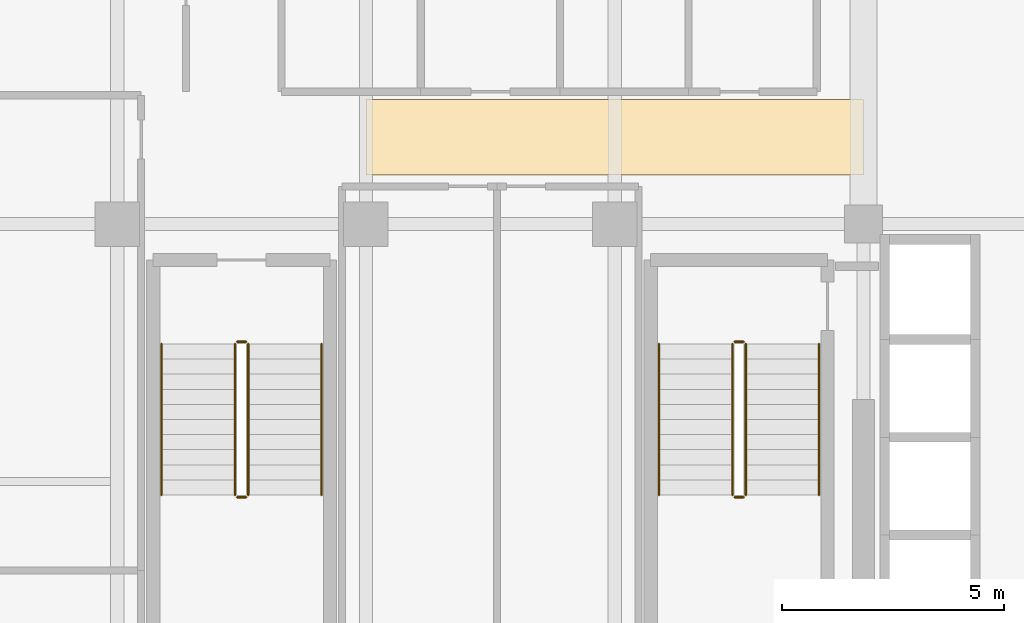
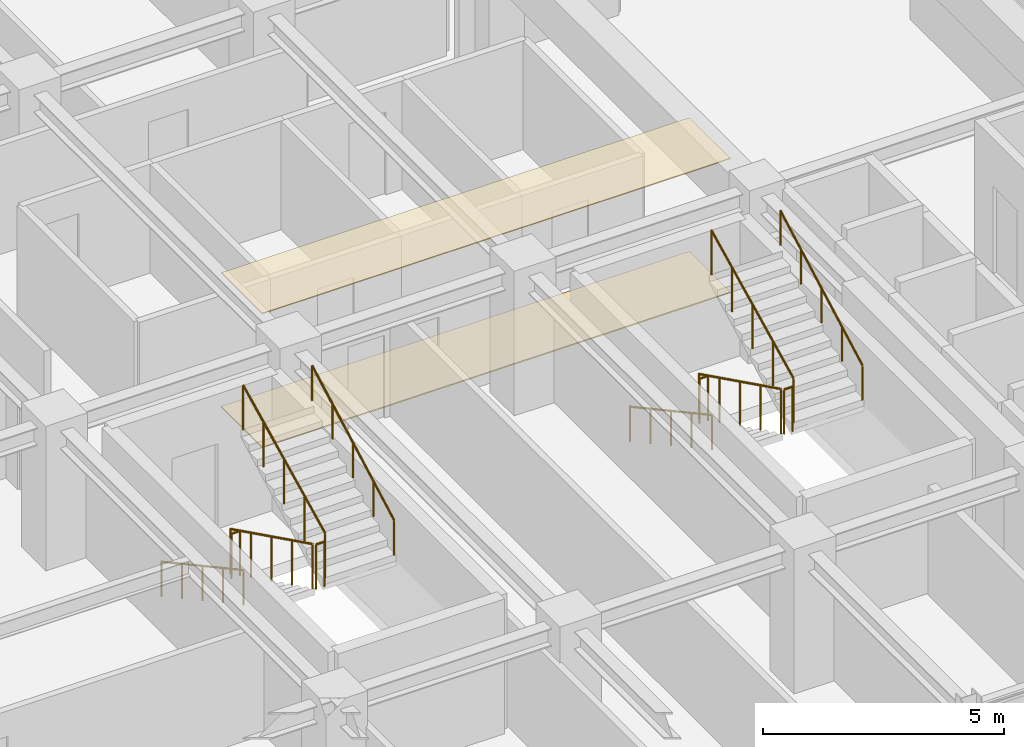
# One storey, part 38 of 41: 12 railings, 2 coverings.
"""IFC4 building model written with IfcOpenShell, lengths in metres."""

from ifc_helpers import new_model, si_unit, direction, frame, origin, origin_2d, place, context, subcontext, project, spatial, polyline, circle, outline, extrude, material, layer, layer_set, type_object, element, save


model = new_model("IFC4")

# Units and contexts
model_context = context("Model", 3, precision=1e-05, world=origin(), true_north=direction((0.0, 1.0)))
body_context = subcontext(model_context, "Body", "Model", "MODEL_VIEW")
ifc_project = project(units=[si_unit("LENGTHUNIT", "METRE"), si_unit("AREAUNIT", "SQUARE_METRE"), si_unit("VOLUMEUNIT", "CUBIC_METRE"), si_unit("PLANEANGLEUNIT", "RADIAN"), si_unit("MASSUNIT", "GRAM", prefix="KILO")], contexts=[model_context])

# Site, building, storey
site_placement = place(None, origin())
site = spatial("IfcSite", under=ifc_project, at=site_placement, CompositionType="ELEMENT")
building_placement = place(site_placement, origin())
building = spatial("IfcBuilding", under=site, at=building_placement, Name="Nahalor Promenade Grand Hotel", CompositionType="ELEMENT")
storey_placement = place(building_placement, frame((0.0, 0.0, 227.10009765625)))
storey = spatial("IfcBuildingStorey", under=building, at=storey_placement, Name="L58", CompositionType="ELEMENT", Elevation=227.10009765625)

# Coverings
ifc_material_1 = material(Name="Acoustic Mineral Gypsum", Category="gypsum")
ifc_layer_1 = layer(ifc_material_1, 0.02490234375)
ifc_layer_set_1 = layer_set([ifc_layer_1], Name="Acoustic Mineral Gypsum")
covering_type_1 = type_object("IfcCoveringType", Name="Acoustic Suspended Ceiling Tile", PredefinedType="CEILING", material=ifc_layer_set_1)
covering_1_placement = place(storey_placement, frame((0.0, 0.0, 3.385009765625)))
element("IfcCovering", 1, at=covering_1_placement, inside=storey, type_object=covering_type_1, Name="CV-CEIL-L58", PredefinedType="CEILING", context=body_context, shape_type="SweptSolid", body=[
    extrude(outline(polyline([(-2.800048828125, -4.300048828125), (8.39990234375, -4.300048828125), (8.39990234375, -2.60009765625), (-2.800048828125, -2.60009765625), (-2.800048828125, -4.300048828125)])), origin(), (0.0, 0.0, 1.0), 0.02490234375),
])
ifc_material_2 = material(Name="Jerusalem Limestone Flooring", Category="masonry")
ifc_layer_2 = layer(ifc_material_2, 0.030029296875)
ifc_layer_set_2 = layer_set([ifc_layer_2], Name="Jerusalem Limestone Flooring")
covering_type_2 = type_object("IfcCoveringType", Name="Honed Limestone Floor Finish", PredefinedType="FLOORING", material=ifc_layer_set_2)
covering_2_placement = place(storey_placement, origin())
element("IfcCovering", 2, at=covering_2_placement, inside=storey, type_object=covering_type_2, Name="CV-FLOR-L58", PredefinedType="FLOORING", context=body_context, shape_type="SweptSolid", body=[
    extrude(outline(polyline([(-2.800048828125, -4.300048828125), (8.39990234375, -4.300048828125), (8.39990234375, -2.60009765625), (-2.800048828125, -2.60009765625), (-2.800048828125, -4.300048828125)])), origin(), (0.0, 0.0, 1.0), 0.02978515625),
])

# Railings
ifc_material_3 = material(Name="Steel S355JR", Category="steel")
railing_type_1 = type_object("IfcRailingType", Name="Steel Stair Guardrail 1150 mm", PredefinedType="GUARDRAIL", material=ifc_material_3)
railing_1_placement = place(storey_placement, frame((5.449951171875, -8.10009765625, 0.16796875)))
element("IfcRailing", 3, at=railing_1_placement, inside=storey, type_object=railing_type_1, Name="L58 ST2 stair guard 1", PredefinedType="GUARDRAIL", context=body_context, shape_type="SweptSolid", body=[
    extrude(circle(Radius=0.024048, at=origin_2d()), frame((0.0, 0.0, 1.1259765625), z_axis=(0.0, -0.896324230515, 0.443399226197), x_axis=(1.0, 0.0, 0.0)), (0.0, 0.0, 1.0), 3.793212890625),
    extrude(circle(Radius=0.020996, at=origin_2d()), origin(), (0.0, 0.0, 1.0), 1.099853515625),
    extrude(circle(Radius=0.020996, at=origin_2d()), frame((0.0, -0.85009765625, 0.42041015625)), (0.0, 0.0, 1.0), 1.099853515625),
    extrude(circle(Radius=0.020996, at=origin_2d()), frame((0.0, -1.699951171875, 0.8408203125)), (0.0, 0.0, 1.0), 1.099853515625),
    extrude(circle(Radius=0.020996, at=origin_2d()), frame((0.0, -2.5498046875, 1.261474609375)), (0.0, 0.0, 1.0), 1.099853515625),
    extrude(circle(Radius=0.020996, at=origin_2d()), frame((0.0, -3.39990234375, 1.681884765625)), (0.0, 0.0, 1.0), 1.099853515625),
])
railing_2_placement = place(storey_placement, frame((5.5, -11.550048828125, 1.849853515625)))
element("IfcRailing", 4, at=railing_2_placement, inside=storey, type_object=railing_type_1, Name="L58 ST2 stair guard 2", PredefinedType="GUARDRAIL", context=body_context, shape_type="SweptSolid", body=[
    extrude(circle(Radius=0.024048, at=origin_2d()), frame((0.0, 0.0, 1.1259765625), z_axis=(1.0, 0.0, 0.0), x_axis=(0.0, 1.0, 0.0)), (0.0, 0.0, 1.0), 0.199951171875),
    extrude(circle(Radius=0.020996, at=origin_2d()), origin(), (0.0, 0.0, 1.0), 1.099853515625),
    extrude(circle(Radius=0.020996, at=origin_2d()), frame((0.199951171875, 0.0, 0.0)), (0.0, 0.0, 1.0), 1.099853515625),
])
railing_3_placement = place(storey_placement, frame((5.75, -11.5, 2.01806640625)))
element("IfcRailing", 5, at=railing_3_placement, inside=storey, type_object=railing_type_1, Name="L58 ST2 stair guard 3", PredefinedType="GUARDRAIL", context=body_context, shape_type="SweptSolid", body=[
    extrude(circle(Radius=0.024048, at=origin_2d()), frame((0.0, 0.0, 1.1259765625), z_axis=(0.0, 0.896324230515, 0.443399226197), x_axis=(-1.0, 0.0, 0.0)), (0.0, 0.0, 1.0), 3.793212890625),
    extrude(circle(Radius=0.020996, at=origin_2d()), origin(), (0.0, 0.0, 1.0), 1.099853515625),
    extrude(circle(Radius=0.020996, at=origin_2d()), frame((0.0, 0.85009765625, 0.42041015625)), (0.0, 0.0, 1.0), 1.099853515625),
    extrude(circle(Radius=0.020996, at=origin_2d()), frame((0.0, 1.699951171875, 0.8408203125)), (0.0, 0.0, 1.0), 1.099853515625),
    extrude(circle(Radius=0.020996, at=origin_2d()), frame((0.0, 2.5498046875, 1.261474609375)), (0.0, 0.0, 1.0), 1.099853515625),
    extrude(circle(Radius=0.020996, at=origin_2d()), frame((0.0, 3.39990234375, 1.681884765625)), (0.0, 0.0, 1.0), 1.099853515625),
])
railing_4_placement = place(storey_placement, frame((5.5, -8.050048828125, 0.0)))
element("IfcRailing", 6, at=railing_4_placement, inside=storey, type_object=railing_type_1, Name="L58 ST2 stair guard 4", PredefinedType="GUARDRAIL", context=body_context, shape_type="SweptSolid", body=[
    extrude(circle(Radius=0.024048, at=origin_2d()), frame((0.0, 0.0, 1.1259765625), z_axis=(1.0, 0.0, 0.0), x_axis=(0.0, 1.0, 0.0)), (0.0, 0.0, 1.0), 0.199951171875),
    extrude(circle(Radius=0.020996, at=origin_2d()), origin(), (0.0, 0.0, 1.0), 1.099853515625),
    extrude(circle(Radius=0.020996, at=origin_2d()), frame((0.199951171875, 0.0, 0.0)), (0.0, 0.0, 1.0), 1.099853515625),
])
railing_5_placement = place(storey_placement, frame((-5.75, -8.10009765625, 0.16796875)))
element("IfcRailing", 7, at=railing_5_placement, inside=storey, type_object=railing_type_1, Name="L58 ST3 stair guard 1", PredefinedType="GUARDRAIL", context=body_context, shape_type="SweptSolid", body=[
    extrude(circle(Radius=0.024048, at=origin_2d()), frame((0.0, 0.0, 1.1259765625), z_axis=(0.0, -0.896324230515, 0.443399226197), x_axis=(1.0, 0.0, 0.0)), (0.0, 0.0, 1.0), 3.793212890625),
    extrude(circle(Radius=0.020996, at=origin_2d()), origin(), (0.0, 0.0, 1.0), 1.099853515625),
    extrude(circle(Radius=0.020996, at=origin_2d()), frame((0.0, -0.85009765625, 0.42041015625)), (0.0, 0.0, 1.0), 1.099853515625),
    extrude(circle(Radius=0.020996, at=origin_2d()), frame((0.0, -1.699951171875, 0.8408203125)), (0.0, 0.0, 1.0), 1.099853515625),
    extrude(circle(Radius=0.020996, at=origin_2d()), frame((0.0, -2.5498046875, 1.261474609375)), (0.0, 0.0, 1.0), 1.099853515625),
    extrude(circle(Radius=0.020996, at=origin_2d()), frame((0.0, -3.39990234375, 1.681884765625)), (0.0, 0.0, 1.0), 1.099853515625),
])
railing_6_placement = place(storey_placement, frame((-5.699951171875, -11.550048828125, 1.849853515625)))
element("IfcRailing", 8, at=railing_6_placement, inside=storey, type_object=railing_type_1, Name="L58 ST3 stair guard 2", PredefinedType="GUARDRAIL", context=body_context, shape_type="SweptSolid", body=[
    extrude(circle(Radius=0.024048, at=origin_2d()), frame((0.0, 0.0, 1.1259765625), z_axis=(1.0, 0.0, 0.0), x_axis=(0.0, 1.0, 0.0)), (0.0, 0.0, 1.0), 0.199951171875),
    extrude(circle(Radius=0.020996, at=origin_2d()), origin(), (0.0, 0.0, 1.0), 1.099853515625),
    extrude(circle(Radius=0.020996, at=origin_2d()), frame((0.199951171875, 0.0, 0.0)), (0.0, 0.0, 1.0), 1.099853515625),
])
railing_7_placement = place(storey_placement, frame((-5.449951171875, -11.5, 2.01806640625)))
element("IfcRailing", 9, at=railing_7_placement, inside=storey, type_object=railing_type_1, Name="L58 ST3 stair guard 3", PredefinedType="GUARDRAIL", context=body_context, shape_type="SweptSolid", body=[
    extrude(circle(Radius=0.024048, at=origin_2d()), frame((0.0, 0.0, 1.1259765625), z_axis=(0.0, 0.896324230515, 0.443399226197), x_axis=(-1.0, 0.0, 0.0)), (0.0, 0.0, 1.0), 3.793212890625),
    extrude(circle(Radius=0.020996, at=origin_2d()), origin(), (0.0, 0.0, 1.0), 1.099853515625),
    extrude(circle(Radius=0.020996, at=origin_2d()), frame((0.0, 0.85009765625, 0.42041015625)), (0.0, 0.0, 1.0), 1.099853515625),
    extrude(circle(Radius=0.020996, at=origin_2d()), frame((0.0, 1.699951171875, 0.8408203125)), (0.0, 0.0, 1.0), 1.099853515625),
    extrude(circle(Radius=0.020996, at=origin_2d()), frame((0.0, 2.5498046875, 1.261474609375)), (0.0, 0.0, 1.0), 1.099853515625),
    extrude(circle(Radius=0.020996, at=origin_2d()), frame((0.0, 3.39990234375, 1.681884765625)), (0.0, 0.0, 1.0), 1.099853515625),
])
railing_8_placement = place(storey_placement, frame((-5.699951171875, -8.050048828125, 0.0)))
element("IfcRailing", 10, at=railing_8_placement, inside=storey, type_object=railing_type_1, Name="L58 ST3 stair guard 4", PredefinedType="GUARDRAIL", context=body_context, shape_type="SweptSolid", body=[
    extrude(circle(Radius=0.024048, at=origin_2d()), frame((0.0, 0.0, 1.1259765625), z_axis=(1.0, 0.0, 0.0), x_axis=(0.0, 1.0, 0.0)), (0.0, 0.0, 1.0), 0.199951171875),
    extrude(circle(Radius=0.020996, at=origin_2d()), origin(), (0.0, 0.0, 1.0), 1.099853515625),
    extrude(circle(Radius=0.020996, at=origin_2d()), frame((0.199951171875, 0.0, 0.0)), (0.0, 0.0, 1.0), 1.099853515625),
])
railing_type_2 = type_object("IfcRailingType", Name="Steel Stair Handrail 900 mm", PredefinedType="HANDRAIL", material=ifc_material_3)
railing_9_placement = place(storey_placement, frame((3.800048828125, -8.10009765625, 0.16796875)))
element("IfcRailing", 11, at=railing_9_placement, inside=storey, type_object=railing_type_2, Name="L58 ST2 stair handrail 1", PredefinedType="HANDRAIL", context=body_context, shape_type="SweptSolid", body=[
    extrude(circle(Radius=0.024048, at=origin_2d()), frame((0.0, 0.0, 0.8759765625), z_axis=(0.0, -0.87837241229, 0.47797688786), x_axis=(1.0, 0.0, 0.0)), (0.0, 0.0, 1.0), 3.87060546875),
    extrude(circle(Radius=0.020996, at=origin_2d()), origin(), (0.0, 0.0, 1.0), 0.849853515625),
    extrude(circle(Radius=0.020996, at=origin_2d()), frame((0.0, -0.85009765625, 0.46240234375)), (0.0, 0.0, 1.0), 0.849853515625),
    extrude(circle(Radius=0.020996, at=origin_2d()), frame((0.0, -1.699951171875, 0.925048828125)), (0.0, 0.0, 1.0), 0.849853515625),
    extrude(circle(Radius=0.020996, at=origin_2d()), frame((0.0, -2.5498046875, 1.3876953125)), (0.0, 0.0, 1.0), 0.849853515625),
    extrude(circle(Radius=0.020996, at=origin_2d()), frame((0.0, -3.39990234375, 1.85009765625)), (0.0, 0.0, 1.0), 0.849853515625),
])
railing_10_placement = place(storey_placement, frame((7.39990234375, -11.5, 2.01806640625)))
element("IfcRailing", 12, at=railing_10_placement, inside=storey, type_object=railing_type_2, Name="L58 ST2 stair handrail 2", PredefinedType="HANDRAIL", context=body_context, shape_type="SweptSolid", body=[
    extrude(circle(Radius=0.024048, at=origin_2d()), frame((0.0, 0.0, 0.8759765625), z_axis=(0.0, 0.87837241229, 0.47797688786), x_axis=(-1.0, 0.0, 0.0)), (0.0, 0.0, 1.0), 3.87060546875),
    extrude(circle(Radius=0.020996, at=origin_2d()), origin(), (0.0, 0.0, 1.0), 0.849853515625),
    extrude(circle(Radius=0.020996, at=origin_2d()), frame((0.0, 0.85009765625, 0.46240234375)), (0.0, 0.0, 1.0), 0.849853515625),
    extrude(circle(Radius=0.020996, at=origin_2d()), frame((0.0, 1.699951171875, 0.925048828125)), (0.0, 0.0, 1.0), 0.849853515625),
    extrude(circle(Radius=0.020996, at=origin_2d()), frame((0.0, 2.5498046875, 1.3876953125)), (0.0, 0.0, 1.0), 0.849853515625),
    extrude(circle(Radius=0.020996, at=origin_2d()), frame((0.0, 3.39990234375, 1.85009765625)), (0.0, 0.0, 1.0), 0.849853515625),
])
railing_11_placement = place(storey_placement, frame((-7.39990234375, -8.10009765625, 0.16796875)))
element("IfcRailing", 13, at=railing_11_placement, inside=storey, type_object=railing_type_2, Name="L58 ST3 stair handrail 1", PredefinedType="HANDRAIL", context=body_context, shape_type="SweptSolid", body=[
    extrude(circle(Radius=0.024048, at=origin_2d()), frame((0.0, 0.0, 0.8759765625), z_axis=(0.0, -0.87837241229, 0.47797688786), x_axis=(1.0, 0.0, 0.0)), (0.0, 0.0, 1.0), 3.87060546875),
    extrude(circle(Radius=0.020996, at=origin_2d()), origin(), (0.0, 0.0, 1.0), 0.849853515625),
    extrude(circle(Radius=0.020996, at=origin_2d()), frame((0.0, -0.85009765625, 0.46240234375)), (0.0, 0.0, 1.0), 0.849853515625),
    extrude(circle(Radius=0.020996, at=origin_2d()), frame((0.0, -1.699951171875, 0.925048828125)), (0.0, 0.0, 1.0), 0.849853515625),
    extrude(circle(Radius=0.020996, at=origin_2d()), frame((0.0, -2.5498046875, 1.3876953125)), (0.0, 0.0, 1.0), 0.849853515625),
    extrude(circle(Radius=0.020996, at=origin_2d()), frame((0.0, -3.39990234375, 1.85009765625)), (0.0, 0.0, 1.0), 0.849853515625),
])
railing_12_placement = place(storey_placement, frame((-3.800048828125, -11.5, 2.01806640625)))
element("IfcRailing", 14, at=railing_12_placement, inside=storey, type_object=railing_type_2, Name="L58 ST3 stair handrail 2", PredefinedType="HANDRAIL", context=body_context, shape_type="SweptSolid", body=[
    extrude(circle(Radius=0.024048, at=origin_2d()), frame((0.0, 0.0, 0.8759765625), z_axis=(0.0, 0.87837241229, 0.47797688786), x_axis=(-1.0, 0.0, 0.0)), (0.0, 0.0, 1.0), 3.87060546875),
    extrude(circle(Radius=0.020996, at=origin_2d()), origin(), (0.0, 0.0, 1.0), 0.849853515625),
    extrude(circle(Radius=0.020996, at=origin_2d()), frame((0.0, 0.85009765625, 0.46240234375)), (0.0, 0.0, 1.0), 0.849853515625),
    extrude(circle(Radius=0.020996, at=origin_2d()), frame((0.0, 1.699951171875, 0.925048828125)), (0.0, 0.0, 1.0), 0.849853515625),
    extrude(circle(Radius=0.020996, at=origin_2d()), frame((0.0, 2.5498046875, 1.3876953125)), (0.0, 0.0, 1.0), 0.849853515625),
    extrude(circle(Radius=0.020996, at=origin_2d()), frame((0.0, 3.39990234375, 1.85009765625)), (0.0, 0.0, 1.0), 0.849853515625),
])

save(model, "model.ifc")
